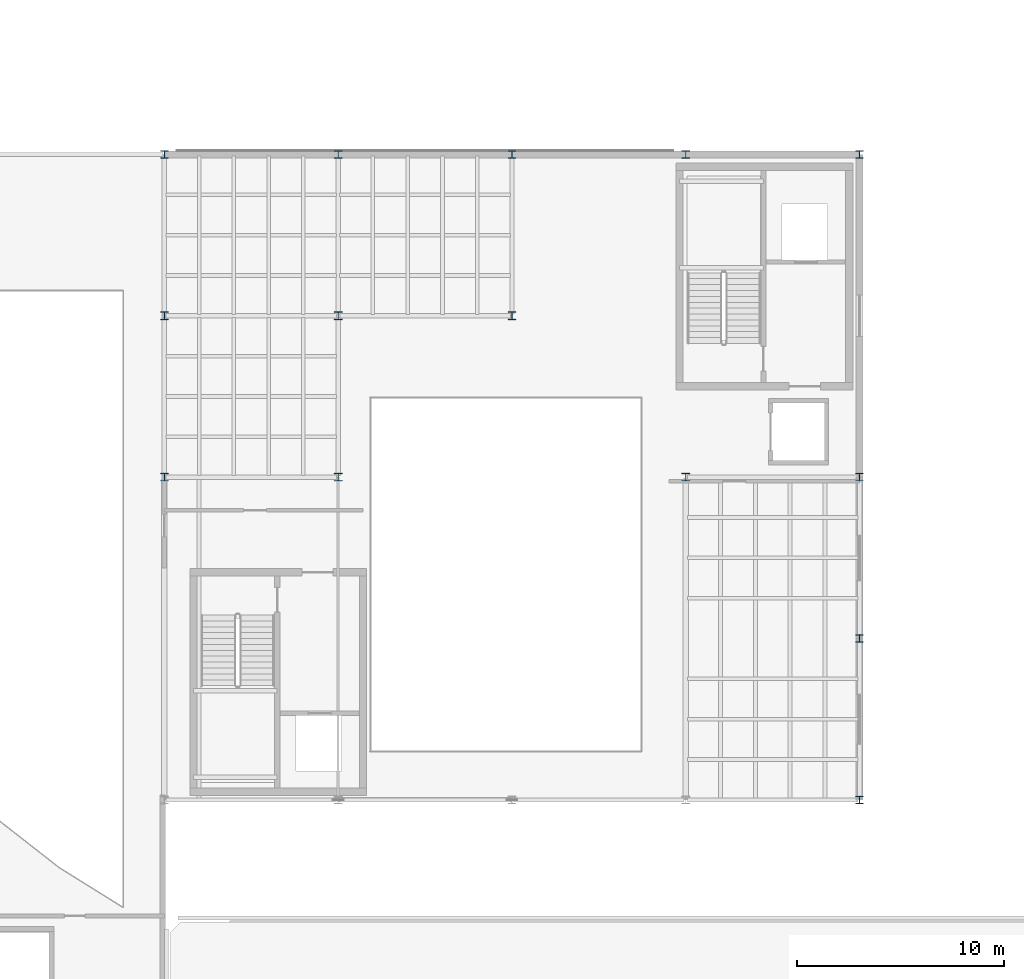
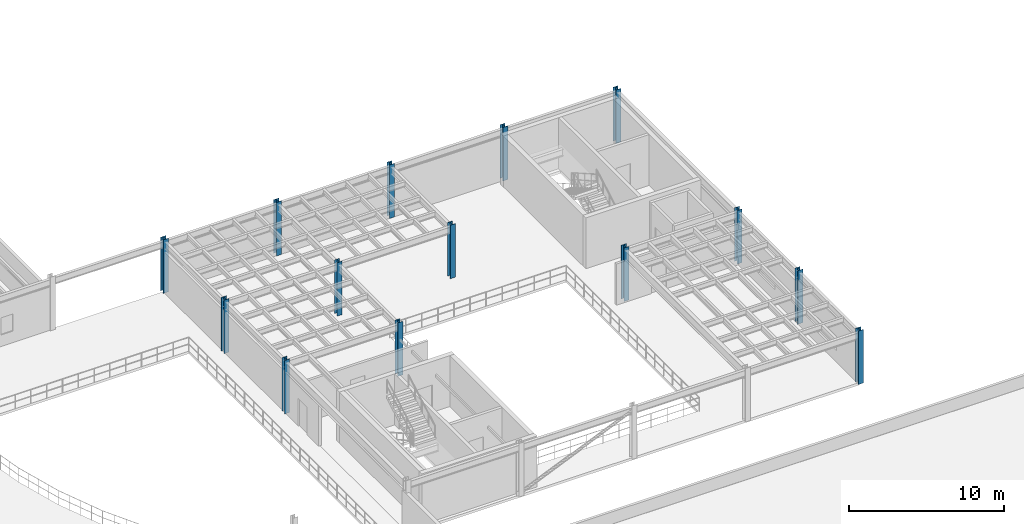
# One storey, part 4 of 54: 14 columns.
"""IFC4 building model written with IfcOpenShell, lengths in metres."""

from ifc_helpers import new_model, si_unit, direction, frame, origin, origin_2d, place, context, subcontext, project, spatial, i_section, extrude, material, material_profile, profile_set, type_object, element, save


model = new_model("IFC4")

# Units and contexts
model_context = context("Model", 3, precision=1e-05, world=origin(), true_north=direction((0.0, 1.0)))
body_context = subcontext(model_context, "Body", "Model", "MODEL_VIEW")
ifc_project = project(units=[si_unit("LENGTHUNIT", "METRE"), si_unit("AREAUNIT", "SQUARE_METRE"), si_unit("VOLUMEUNIT", "CUBIC_METRE"), si_unit("PLANEANGLEUNIT", "RADIAN"), si_unit("MASSUNIT", "GRAM", prefix="KILO")], contexts=[model_context])

# Site, building, storey
site_placement = place(None, origin())
site = spatial("IfcSite", under=ifc_project, at=site_placement, CompositionType="ELEMENT")
building_placement = place(site_placement, origin())
building = spatial("IfcBuilding", under=site, at=building_placement, Name="Selat Folded Stagehouse", CompositionType="ELEMENT")
storey_placement = place(building_placement, frame((0.0, 0.0, 15.0)))
storey = spatial("IfcBuildingStorey", under=building, at=storey_placement, Name="L03", CompositionType="ELEMENT", Elevation=15.0)

# Columns
ifc_material = material(Name="Steel S355", Category="steel")
ifc_material_profile = material_profile(ifc_material, i_section(OverallWidth=0.37255859375, OverallDepth=0.3681640625, WebThickness=0.014404296875, FlangeThickness=0.023681640625, FilletRadius=0.01513671875, at=origin_2d()), Name="UKC 356x368x177")
ifc_profile_set = profile_set([ifc_material_profile], Name="Steel S355")
column_type = type_object("IfcColumnType", Name="COL-UKC-356x368x177", PredefinedType="COLUMN", material=ifc_profile_set)
for number, where, z_axis, x_axis, name in (
    (1, (33.60009765625, 39.0, 0.0), (0.0, 0.0, 1.0), (1.0, 0.0, 0.0), "L03 column STK-V2-08"),
    (2, (33.60009765625, 46.800048828125, 0.0), (0.0, 0.0, 1.0), (1.0, 0.0, 0.0), "L03 column STK-V2-09"),
    (3, (33.60009765625, 54.60009765625, 0.0), (0.0, 0.0, 1.0), (1.0, 0.0, 0.0), "L03 column STK-V2-10"),
    (4, (42.0, 39.0, 0.0), (0.0, 0.0, 1.0), (1.0, 0.0, 0.0), "L03 column STK-V2-12"),
    (5, (42.0, 46.800048828125, 0.0), (0.0, 0.0, 1.0), (1.0, 0.0, 0.0), "L03 column STK-V2-13"),
    (6, (42.0, 54.60009765625, 0.0), (0.0, 0.0, 1.0), (1.0, 0.0, 0.0), "L03 column STK-V2-14"),
    (7, (50.39990234375, 46.800048828125, 0.0), (0.0, 0.0, 1.0), (1.0, 0.0, 0.0), "L03 column STK-V2-16"),
    (8, (50.39990234375, 54.60009765625, 0.0), (0.0, 0.0, 1.0), (1.0, 0.0, 0.0), "L03 column STK-V2-17"),
    (9, (58.800048828125, 39.0, 0.0), (0.0, 0.0, 1.0), (1.0, 0.0, 0.0), "L03 column STK-V2-19"),
    (10, (58.800048828125, 54.60009765625, 0.0), (0.0, 0.0, 1.0), (1.0, 0.0, 0.0), "L03 column STK-V2-20"),
    (11, (67.199951171875, 23.39990234375, 0.0), (0.0, 0.0, 1.0), (1.0, 0.0, 0.0), "L03 column STK-V2-21"),
    (12, (67.199951171875, 31.199951171875, 0.0), (0.0, 0.0, 1.0), (1.0, 0.0, 0.0), "L03 column STK-V2-22"),
    (13, (67.199951171875, 39.0, 0.0), (0.0, 0.0, 1.0), (1.0, 0.0, 0.0), "L03 column STK-V2-23"),
    (14, (67.199951171875, 54.60009765625, 0.0), (0.0, 0.0, 1.0), (1.0, 0.0, 0.0), "L03 column STK-V2-24"),
):
    element("IfcColumn", number, at=place(storey_placement, frame(where, z_axis=z_axis, x_axis=x_axis)), inside=storey, type_object=column_type, Name=name, PredefinedType="COLUMN", context=body_context, shape_type="SweptSolid", body=[
        extrude(i_section(OverallWidth=0.37255859375, OverallDepth=0.3681640625, WebThickness=0.014404296875, FlangeThickness=0.023681640625, FilletRadius=0.01513671875, at=origin_2d()), origin(), (0.0, 0.0, 1.0), 4.199951171875),
    ])

save(model, "model.ifc")
